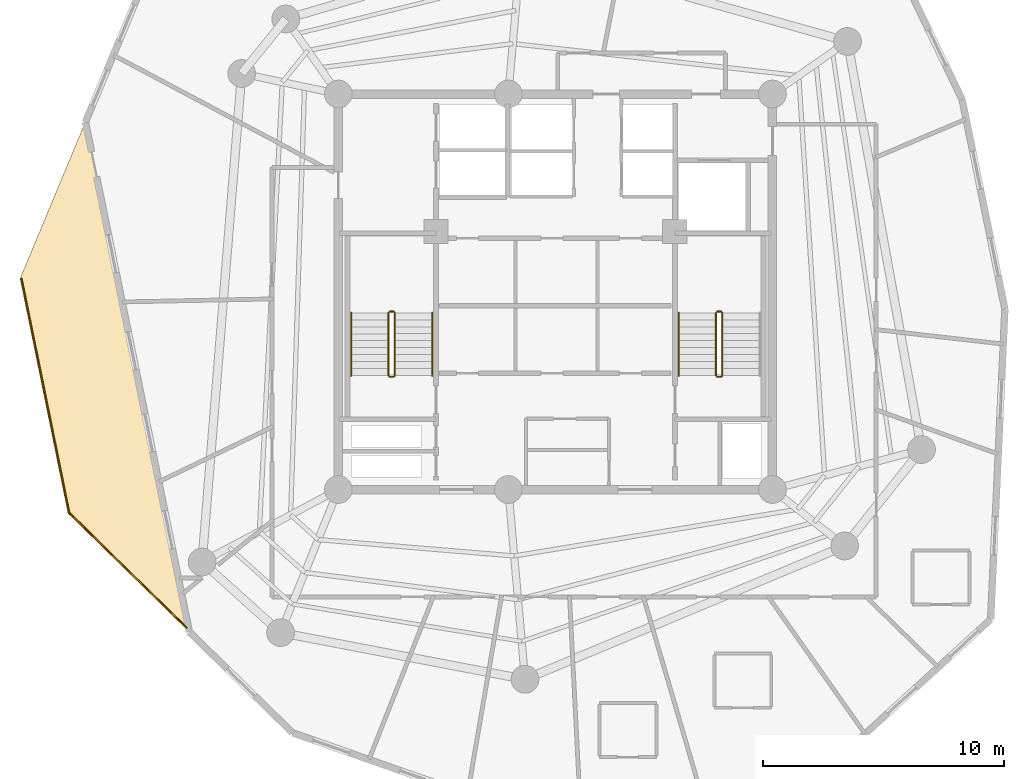
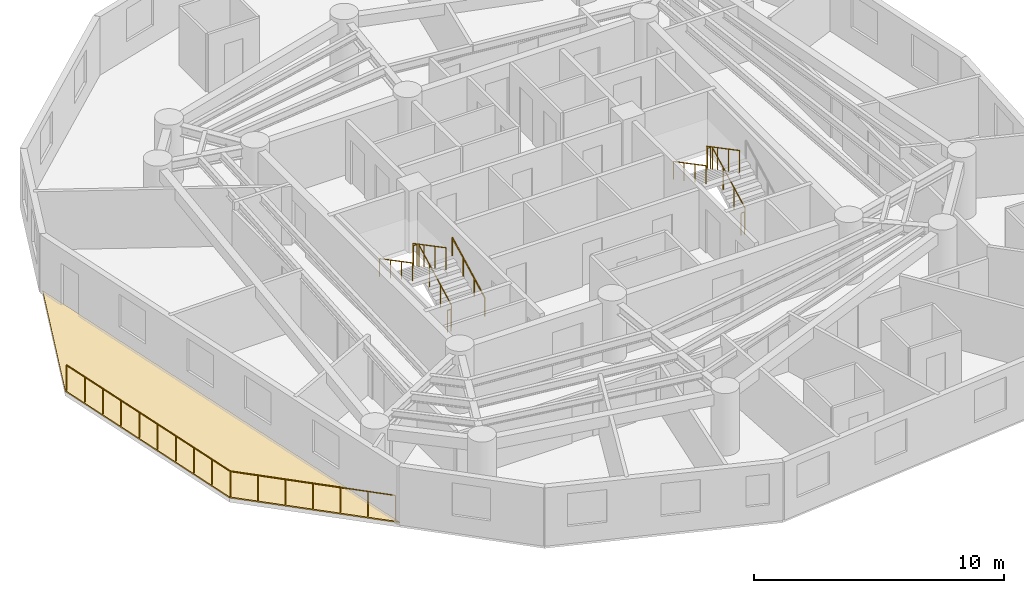
# One storey, part 7 of 8: 13 railings, 1 covering.
"""IFC4 building model written with IfcOpenShell, lengths in metres."""

from ifc_helpers import new_model, si_unit, direction, frame, origin, origin_2d, place, context, subcontext, project, spatial, polyline, circle, outline, extrude, material, layer, layer_set, type_object, element, save


model = new_model("IFC4")

# Units and contexts
model_context = context("Model", 3, precision=1e-05, world=origin(), true_north=direction((0.0, 1.0)))
body_context = subcontext(model_context, "Body", "Model", "MODEL_VIEW")
ifc_project = project(units=[si_unit("LENGTHUNIT", "METRE"), si_unit("AREAUNIT", "SQUARE_METRE"), si_unit("VOLUMEUNIT", "CUBIC_METRE"), si_unit("PLANEANGLEUNIT", "RADIAN"), si_unit("MASSUNIT", "GRAM", prefix="KILO")], contexts=[model_context])

# Site, building, storey
site_placement = place(None, origin())
site = spatial("IfcSite", under=ifc_project, at=site_placement, CompositionType="ELEMENT")
building_placement = place(site_placement, origin())
building = spatial("IfcBuilding", under=site, at=building_placement, Name="Karkom Vertical University and Central Library", CompositionType="ELEMENT")
storey_placement = place(building_placement, frame((0.0, 0.0, 216.89990234375)))
storey = spatial("IfcBuildingStorey", under=building, at=storey_placement, Name="L63", CompositionType="ELEMENT", Elevation=216.89990234375)

# Covering
ifc_material_1 = material(Name="EPDM membrane with Kota stone ballast roofing", Category="masonry")
ifc_layer_1 = layer(ifc_material_1, 0.080078125)
ifc_layer_set_1 = layer_set([ifc_layer_1], Name="EPDM membrane with Kota stone ballast roofing")
covering_type = type_object("IfcCoveringType", Name="ENV-COV-ROOF", PredefinedType="ROOFING", material=ifc_layer_set_1)
covering_placement = place(storey_placement, origin())
element("IfcCovering", 1, at=covering_placement, inside=storey, type_object=covering_type, Name="Level 63 Spiral Sky Garden Waterproofing Covering", PredefinedType="ROOFING", context=body_context, shape_type="SweptSolid", body=[
    extrude(outline(polyline([(8.2822265625, 17.310791015625), (13.316162109375, 12.3916015625), (9.005615234375, 33.540283203125), (6.298583984375, 27.043701171875), (8.2822265625, 17.310791015625)])), origin(), (0.0, 0.0, 1.0), 0.06005859375),
])

# Railings
ifc_material_2 = material(Name="Architectural painted steel & laminated glass balustrade", Category="steel")
ifc_layer_2 = layer(ifc_material_2, 0.090087890625)
ifc_layer_set_2 = layer_set([ifc_layer_2], Name="Architectural painted steel & laminated glass balustrade")
railing_type_1 = type_object("IfcRailingType", Name="ENV-RL-BAL1300", PredefinedType="BALUSTRADE", material=ifc_layer_set_2)
railing_1_placement = place(storey_placement, frame((8.33740234375, 17.3408203125, 0.0)))
element("IfcRailing", 2, at=railing_1_placement, inside=storey, type_object=railing_type_1, Name="Level 63 Planted Terrace Safety Balustrade 01", PredefinedType="BALUSTRADE", context=body_context, shape_type="SweptSolid", body=[
    extrude(circle(Radius=0.02392578125, at=origin_2d()), frame((0.0, 0.0, 1.27587890625), z_axis=(-0.199706249188, 0.97985581288, 0.0), x_axis=(-0.97985581288, -0.199706249188, 0.0)), (0.0, 0.0, 1.0), 9.896240234375),
    extrude(circle(Radius=0.02099609375, at=origin_2d()), origin(), (0.0, 0.0, 1.0), 1.251953125),
    extrude(circle(Radius=0.02099609375, at=origin_2d()), frame((-0.219482421875, 1.077392578125, 0.0)), (0.0, 0.0, 1.0), 1.251953125),
    extrude(circle(Radius=0.02099609375, at=origin_2d()), frame((-0.439208984375, 2.15478515625, 0.0)), (0.0, 0.0, 1.0), 1.251953125),
    extrude(circle(Radius=0.02099609375, at=origin_2d()), frame((-0.65869140625, 3.232177734375, 0.0)), (0.0, 0.0, 1.0), 1.251953125),
    extrude(circle(Radius=0.02099609375, at=origin_2d()), frame((-0.87841796875, 4.3095703125, 0.0)), (0.0, 0.0, 1.0), 1.251953125),
    extrude(circle(Radius=0.02099609375, at=origin_2d()), frame((-1.097900390625, 5.38720703125, 0.0)), (0.0, 0.0, 1.0), 1.251953125),
    extrude(circle(Radius=0.02099609375, at=origin_2d()), frame((-1.317626953125, 6.464599609375, 0.0)), (0.0, 0.0, 1.0), 1.251953125),
    extrude(circle(Radius=0.02099609375, at=origin_2d()), frame((-1.537109375, 7.5419921875, 0.0)), (0.0, 0.0, 1.0), 1.251953125),
    extrude(circle(Radius=0.02099609375, at=origin_2d()), frame((-1.7568359375, 8.619384765625, 0.0)), (0.0, 0.0, 1.0), 1.251953125),
    extrude(circle(Radius=0.02099609375, at=origin_2d()), frame((-1.976318359375, 9.69677734375, 0.0)), (0.0, 0.0, 1.0), 1.251953125),
])
railing_2_placement = place(storey_placement, frame((13.21826171875, 12.5712890625, 0.0)))
element("IfcRailing", 3, at=railing_2_placement, inside=storey, type_object=railing_type_1, Name="Level 63 Planted Terrace Safety Balustrade 03", PredefinedType="BALUSTRADE", context=body_context, shape_type="SweptSolid", body=[
    extrude(circle(Radius=0.02392578125, at=origin_2d()), frame((0.0, 0.0, 1.27587890625), z_axis=(-0.715216464604, 0.698903003827, 0.0), x_axis=(-0.698903003827, -0.715216464604, 0.0)), (0.0, 0.0, 1.0), 6.82421875),
    extrude(circle(Radius=0.02099609375, at=origin_2d()), origin(), (0.0, 0.0, 1.0), 1.251953125),
    extrude(circle(Radius=0.02099609375, at=origin_2d()), frame((-0.8134765625, 0.794921875, 0.0)), (0.0, 0.0, 1.0), 1.251953125),
    extrude(circle(Radius=0.02099609375, at=origin_2d()), frame((-1.626953125, 1.58984375, 0.0)), (0.0, 0.0, 1.0), 1.251953125),
    extrude(circle(Radius=0.02099609375, at=origin_2d()), frame((-2.4404296875, 2.384765625, 0.0)), (0.0, 0.0, 1.0), 1.251953125),
    extrude(circle(Radius=0.02099609375, at=origin_2d()), frame((-3.25390625, 3.1796875, 0.0)), (0.0, 0.0, 1.0), 1.251953125),
    extrude(circle(Radius=0.02099609375, at=origin_2d()), frame((-4.0673828125, 3.974609375, 0.0)), (0.0, 0.0, 1.0), 1.251953125),
    extrude(circle(Radius=0.02099609375, at=origin_2d()), frame((-4.880859375, 4.76953125, 0.0)), (0.0, 0.0, 1.0), 1.251953125),
])
ifc_material_3 = material(Name="Painted galvanised steel balustrade", Category="steel")
ifc_layer_3 = layer(ifc_material_3, 0.06005859375)
ifc_layer_set_3 = layer_set([ifc_layer_3], Name="Painted galvanised steel balustrade")
railing_type_2 = type_object("IfcRailingType", Name="INT-RL-GUARD1100", PredefinedType="GUARDRAIL", material=ifc_layer_set_3)
railing_3_placement = place(storey_placement, frame((21.840087890625, 23.02001953125, 0.152587890625)))
element("IfcRailing", 4, at=railing_3_placement, inside=storey, type_object=railing_type_2, Name="Level 63 ST-1 stair guard 1", PredefinedType="GUARDRAIL", context=body_context, shape_type="SweptSolid", body=[
    extrude(circle(Radius=0.02392578125, at=origin_2d()), frame((0.0, 0.0, 1.076171875), z_axis=(0.0, 0.885065446896, 0.46546659892), x_axis=(-1.0, 0.0, 0.0)), (0.0, 0.0, 1.0), 2.94873046875),
    extrude(circle(Radius=0.02099609375, at=origin_2d()), origin(), (0.0, 0.0, 1.0), 1.052001953125),
    extrude(circle(Radius=0.02099609375, at=origin_2d()), frame((0.0, 0.869873046875, 0.45751953125)), (0.0, 0.0, 1.0), 1.052001953125),
    extrude(circle(Radius=0.02099609375, at=origin_2d()), frame((0.0, 1.739990234375, 0.9150390625)), (0.0, 0.0, 1.0), 1.052001953125),
    extrude(circle(Radius=0.02099609375, at=origin_2d()), frame((0.0, 2.60986328125, 1.37255859375)), (0.0, 0.0, 1.0), 1.052001953125),
])
railing_4_placement = place(storey_placement, frame((21.7900390625, 25.679931640625, 1.525146484375)))
element("IfcRailing", 5, at=railing_4_placement, inside=storey, type_object=railing_type_2, Name="Level 63 ST-1 stair guard 2", PredefinedType="GUARDRAIL", context=body_context, shape_type="SweptSolid", body=[
    extrude(circle(Radius=0.02392578125, at=origin_2d()), frame((0.0, 0.0, 1.076171875), z_axis=(-1.0, 0.0, 0.0), x_axis=(0.0, -1.0, 0.0)), (0.0, 0.0, 1.0), 0.16015625),
    extrude(circle(Radius=0.02099609375, at=origin_2d()), origin(), (0.0, 0.0, 1.0), 1.052001953125),
    extrude(circle(Radius=0.02099609375, at=origin_2d()), frame((-0.16015625, 0.0, 0.0)), (0.0, 0.0, 1.0), 1.052001953125),
])
railing_5_placement = place(storey_placement, frame((21.580078125, 25.6298828125, 1.677490234375)))
element("IfcRailing", 6, at=railing_5_placement, inside=storey, type_object=railing_type_2, Name="Level 63 ST-1 stair guard 3", PredefinedType="GUARDRAIL", context=body_context, shape_type="SweptSolid", body=[
    extrude(circle(Radius=0.02392578125, at=origin_2d()), frame((0.0, 0.0, 1.076171875), z_axis=(0.0, -0.885065446896, 0.46546659892), x_axis=(1.0, 0.0, 0.0)), (0.0, 0.0, 1.0), 2.94873046875),
    extrude(circle(Radius=0.02099609375, at=origin_2d()), origin(), (0.0, 0.0, 1.0), 1.052001953125),
    extrude(circle(Radius=0.02099609375, at=origin_2d()), frame((0.0, -0.869873046875, 0.45751953125)), (0.0, 0.0, 1.0), 1.052001953125),
    extrude(circle(Radius=0.02099609375, at=origin_2d()), frame((0.0, -1.739990234375, 0.9150390625)), (0.0, 0.0, 1.0), 1.052001953125),
    extrude(circle(Radius=0.02099609375, at=origin_2d()), frame((0.0, -2.60986328125, 1.37255859375)), (0.0, 0.0, 1.0), 1.052001953125),
])
railing_6_placement = place(storey_placement, frame((21.7900390625, 22.969970703125, 0.0)))
element("IfcRailing", 7, at=railing_6_placement, inside=storey, type_object=railing_type_2, Name="Level 63 ST-1 stair guard 4", PredefinedType="GUARDRAIL", context=body_context, shape_type="SweptSolid", body=[
    extrude(circle(Radius=0.02392578125, at=origin_2d()), frame((0.0, 0.0, 1.076171875), z_axis=(-1.0, 0.0, 0.0), x_axis=(0.0, -1.0, 0.0)), (0.0, 0.0, 1.0), 0.16015625),
    extrude(circle(Radius=0.02099609375, at=origin_2d()), origin(), (0.0, 0.0, 1.0), 1.052001953125),
    extrude(circle(Radius=0.02099609375, at=origin_2d()), frame((-0.16015625, 0.0, 0.0)), (0.0, 0.0, 1.0), 1.052001953125),
])
railing_7_placement = place(storey_placement, frame((35.419921875, 23.02001953125, 0.152587890625)))
element("IfcRailing", 8, at=railing_7_placement, inside=storey, type_object=railing_type_2, Name="Level 63 ST-2 stair guard 1", PredefinedType="GUARDRAIL", context=body_context, shape_type="SweptSolid", body=[
    extrude(circle(Radius=0.02392578125, at=origin_2d()), frame((0.0, 0.0, 1.076171875), z_axis=(0.0, 0.885065446896, 0.46546659892), x_axis=(-1.0, 0.0, 0.0)), (0.0, 0.0, 1.0), 2.94873046875),
    extrude(circle(Radius=0.02099609375, at=origin_2d()), origin(), (0.0, 0.0, 1.0), 1.052001953125),
    extrude(circle(Radius=0.02099609375, at=origin_2d()), frame((0.0, 0.869873046875, 0.45751953125)), (0.0, 0.0, 1.0), 1.052001953125),
    extrude(circle(Radius=0.02099609375, at=origin_2d()), frame((0.0, 1.739990234375, 0.9150390625)), (0.0, 0.0, 1.0), 1.052001953125),
    extrude(circle(Radius=0.02099609375, at=origin_2d()), frame((0.0, 2.60986328125, 1.37255859375)), (0.0, 0.0, 1.0), 1.052001953125),
])
railing_8_placement = place(storey_placement, frame((35.3701171875, 25.679931640625, 1.525146484375)))
element("IfcRailing", 9, at=railing_8_placement, inside=storey, type_object=railing_type_2, Name="Level 63 ST-2 stair guard 2", PredefinedType="GUARDRAIL", context=body_context, shape_type="SweptSolid", body=[
    extrude(circle(Radius=0.02392578125, at=origin_2d()), frame((0.0, 0.0, 1.076171875), z_axis=(-1.0, 0.0, 0.0), x_axis=(0.0, -1.0, 0.0)), (0.0, 0.0, 1.0), 0.16015625),
    extrude(circle(Radius=0.02099609375, at=origin_2d()), origin(), (0.0, 0.0, 1.0), 1.052001953125),
    extrude(circle(Radius=0.02099609375, at=origin_2d()), frame((-0.16015625, 0.0, 0.0)), (0.0, 0.0, 1.0), 1.052001953125),
])
railing_9_placement = place(storey_placement, frame((35.159912109375, 25.6298828125, 1.677490234375)))
element("IfcRailing", 10, at=railing_9_placement, inside=storey, type_object=railing_type_2, Name="Level 63 ST-2 stair guard 3", PredefinedType="GUARDRAIL", context=body_context, shape_type="SweptSolid", body=[
    extrude(circle(Radius=0.02392578125, at=origin_2d()), frame((0.0, 0.0, 1.076171875), z_axis=(0.0, -0.885065446896, 0.46546659892), x_axis=(1.0, 0.0, 0.0)), (0.0, 0.0, 1.0), 2.94873046875),
    extrude(circle(Radius=0.02099609375, at=origin_2d()), origin(), (0.0, 0.0, 1.0), 1.052001953125),
    extrude(circle(Radius=0.02099609375, at=origin_2d()), frame((0.0, -0.869873046875, 0.45751953125)), (0.0, 0.0, 1.0), 1.052001953125),
    extrude(circle(Radius=0.02099609375, at=origin_2d()), frame((0.0, -1.739990234375, 0.9150390625)), (0.0, 0.0, 1.0), 1.052001953125),
    extrude(circle(Radius=0.02099609375, at=origin_2d()), frame((0.0, -2.60986328125, 1.37255859375)), (0.0, 0.0, 1.0), 1.052001953125),
])
railing_10_placement = place(storey_placement, frame((35.3701171875, 22.969970703125, 0.0)))
element("IfcRailing", 11, at=railing_10_placement, inside=storey, type_object=railing_type_2, Name="Level 63 ST-2 stair guard 4", PredefinedType="GUARDRAIL", context=body_context, shape_type="SweptSolid", body=[
    extrude(circle(Radius=0.02392578125, at=origin_2d()), frame((0.0, 0.0, 1.076171875), z_axis=(-1.0, 0.0, 0.0), x_axis=(0.0, -1.0, 0.0)), (0.0, 0.0, 1.0), 0.16015625),
    extrude(circle(Radius=0.02099609375, at=origin_2d()), origin(), (0.0, 0.0, 1.0), 1.052001953125),
    extrude(circle(Radius=0.02099609375, at=origin_2d()), frame((-0.16015625, 0.0, 0.0)), (0.0, 0.0, 1.0), 1.052001953125),
])
ifc_material_4 = material(Name="Brushed stainless-steel tubular handrail", Category="steel")
ifc_layer_4 = layer(ifc_material_4, 0.048095703125)
ifc_layer_set_4 = layer_set([ifc_layer_4], Name="Brushed stainless-steel tubular handrail")
railing_type_3 = type_object("IfcRailingType", Name="INT-RL-HAND920", PredefinedType="HANDRAIL", material=ifc_layer_set_4)
railing_11_placement = place(storey_placement, frame((23.389892578125, 23.02001953125, 0.152587890625)))
element("IfcRailing", 12, at=railing_11_placement, inside=storey, type_object=railing_type_3, Name="Level 63 ST-1 stair handrail 1", PredefinedType="HANDRAIL", context=body_context, shape_type="SweptSolid", body=[
    extrude(circle(Radius=0.02392578125, at=origin_2d()), frame((0.0, 0.0, 0.8759765625), z_axis=(0.0, 0.885065446896, 0.46546659892), x_axis=(-1.0, 0.0, 0.0)), (0.0, 0.0, 1.0), 2.94873046875),
    extrude(circle(Radius=0.02099609375, at=origin_2d()), origin(), (0.0, 0.0, 1.0), 0.851806640625),
    extrude(circle(Radius=0.02099609375, at=origin_2d()), frame((0.0, 0.869873046875, 0.45751953125)), (0.0, 0.0, 1.0), 0.851806640625),
    extrude(circle(Radius=0.02099609375, at=origin_2d()), frame((0.0, 1.739990234375, 0.9150390625)), (0.0, 0.0, 1.0), 0.851806640625),
    extrude(circle(Radius=0.02099609375, at=origin_2d()), frame((0.0, 2.60986328125, 1.37255859375)), (0.0, 0.0, 1.0), 0.851806640625),
])
for number, where, name in (
    (13, (20.030029296875, 25.6298828125, 1.677490234375), "Level 63 ST-1 stair handrail 2"),
    (14, (33.610107421875, 25.6298828125, 1.677490234375), "Level 63 ST-2 stair handrail 2"),
):
    element("IfcRailing", number, at=place(storey_placement, frame(where)), inside=storey, type_object=railing_type_3, Name=name, PredefinedType="HANDRAIL", context=body_context, shape_type="SweptSolid", body=[
        extrude(circle(Radius=0.02392578125, at=origin_2d()), frame((0.0, 0.0, 0.8759765625), z_axis=(0.0, -0.885065446896, 0.46546659892), x_axis=(1.0, 0.0, 0.0)), (0.0, 0.0, 1.0), 2.94873046875),
        extrude(circle(Radius=0.02099609375, at=origin_2d()), origin(), (0.0, 0.0, 1.0), 0.851806640625),
        extrude(circle(Radius=0.02099609375, at=origin_2d()), frame((0.0, -0.869873046875, 0.45751953125)), (0.0, 0.0, 1.0), 0.851806640625),
        extrude(circle(Radius=0.02099609375, at=origin_2d()), frame((0.0, -1.739990234375, 0.9150390625)), (0.0, 0.0, 1.0), 0.851806640625),
        extrude(circle(Radius=0.02099609375, at=origin_2d()), frame((0.0, -2.60986328125, 1.37255859375)), (0.0, 0.0, 1.0), 0.851806640625),
    ])

save(model, "model.ifc")
